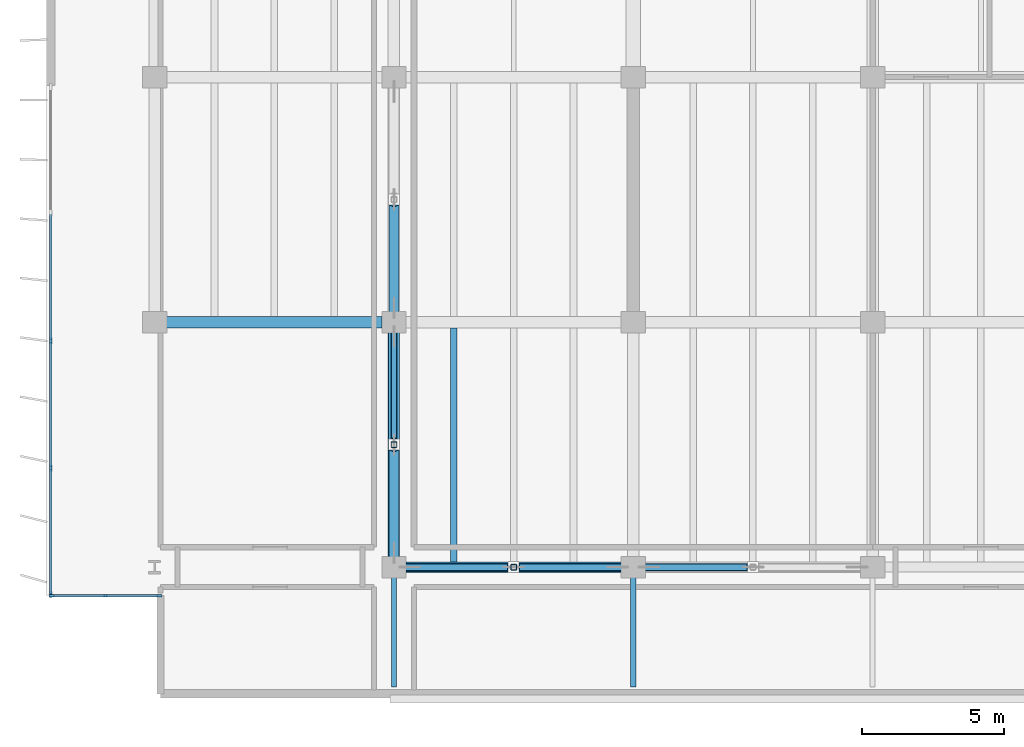
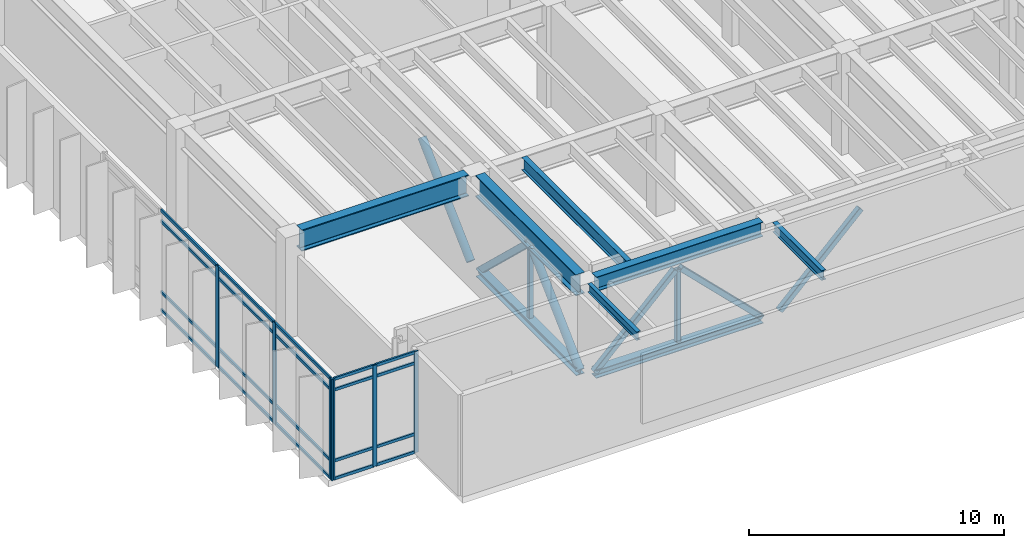
# One storey, part 2 of 23: 34 members, 8 beams, 2 elements without a shape of their own.
"""IFC4 building model written with IfcOpenShell, lengths in metres."""

from ifc_helpers import new_model, si_unit, direction, frame, origin, origin_2d, place, context, subcontext, project, spatial, rectangle, hollow_rectangle, hollow_circle, i_section, extrude, material, layer, layer_set, material_profile, profile_set, type_object, element, aggregate, save


model = new_model("IFC4")

# Units and contexts
model_context = context("Model", 3, precision=1e-05, world=origin(), true_north=direction((0.0, 1.0)))
body_context = subcontext(model_context, "Body", "Model", "MODEL_VIEW")
ifc_project = project(units=[si_unit("LENGTHUNIT", "METRE"), si_unit("AREAUNIT", "SQUARE_METRE"), si_unit("VOLUMEUNIT", "CUBIC_METRE"), si_unit("PLANEANGLEUNIT", "RADIAN"), si_unit("MASSUNIT", "GRAM", prefix="KILO")], contexts=[model_context])

# Site, building, storey
site_placement = place(None, origin())
site = spatial("IfcSite", under=ifc_project, at=site_placement, CompositionType="ELEMENT")
building_placement = place(site_placement, origin())
building = spatial("IfcBuilding", under=site, at=building_placement, Name="Caelmar Bay Residences", CompositionType="ELEMENT")
storey_placement = place(building_placement, frame((0.0, 0.0, 221.39990234375)))
storey = spatial("IfcBuildingStorey", under=building, at=storey_placement, Name="L62", CompositionType="ELEMENT", Elevation=221.39990234375)

# Beams
ifc_material_1 = material(Name="Steel ASTM A992 Grade 50", Category="steel")
ifc_material_profile_1 = material_profile(ifc_material_1, i_section(OverallWidth=0.177978515625, OverallDepth=0.406005859375, WebThickness=0.0078125, FlangeThickness=0.0126953125, FilletRadius=0.0087890625, at=origin_2d()), Name="W16X40")
ifc_profile_set_1 = profile_set([ifc_material_profile_1], Name="Steel ASTM A992 Grade 50")
beam_type_1 = type_object("IfcBeamType", Name="BM-BAL-W16X40", PredefinedType="JOIST", material=ifc_profile_set_1)
beam_1_placement = place(storey_placement, frame((18.300048828125, 11.8349609375, 4.63720703125), z_axis=(0.0, -1.0, 0.0), x_axis=(1.0, 0.0, 0.0)))
element("IfcBeam", 1, at=beam_1_placement, inside=storey, type_object=beam_type_1, Name="L63 South Balcony Cantilever Bracket 1", PredefinedType="JOIST", context=body_context, shape_type="SweptSolid", body=[
    extrude(i_section(OverallWidth=0.177978515625, OverallDepth=0.406005859375, WebThickness=0.0078125, FlangeThickness=0.0126953125, FilletRadius=0.0087890625, at=origin_2d()), origin(), (0.0, 0.0, 1.0), 3.849853515625),
])
ifc_material_profile_2 = material_profile(ifc_material_1, i_section(OverallWidth=0.193115234375, OverallDepth=0.467041015625, WebThickness=0.011474609375, FlangeThickness=0.01904296875, FilletRadius=0.01025390625, at=origin_2d()), Name="W18X65")
ifc_profile_set_2 = profile_set([ifc_material_profile_2], Name="Steel ASTM A992 Grade 50")
beam_type_2 = type_object("IfcBeamType", Name="BM-BAL-W18X65", PredefinedType="BEAM", material=ifc_profile_set_2)
beam_2_placement = place(storey_placement, frame((26.699951171875, 11.8349609375, 4.606689453125), z_axis=(0.0, -1.0, 0.0), x_axis=(1.0, 0.0, 0.0)))
element("IfcBeam", 2, at=beam_2_placement, inside=storey, type_object=beam_type_2, Name="L63 South Balcony Cantilever Bracket 2", PredefinedType="BEAM", context=body_context, shape_type="SweptSolid", body=[
    extrude(i_section(OverallWidth=0.193115234375, OverallDepth=0.467041015625, WebThickness=0.011474609375, FlangeThickness=0.01904296875, FilletRadius=0.01025390625, at=origin_2d()), origin(), (0.0, 0.0, 1.0), 3.849853515625),
])
ifc_material_profile_3 = material_profile(ifc_material_1, i_section(OverallWidth=0.373046875, OverallDepth=0.373046875, WebThickness=0.016357421875, FlangeThickness=0.026123046875, FilletRadius=0.01513671875, at=origin_2d()), Name="W14X132")
ifc_profile_set_3 = profile_set([ifc_material_profile_3], Name="Steel ASTM A992 Grade 50")
beam_type_3 = type_object("IfcBeamType", Name="BM-CHD-W14X132", PredefinedType="BEAM", material=ifc_profile_set_3)
beam_3_placement = place(storey_placement, frame((18.300048828125, 12.56494140625, 0.1865234375), z_axis=(0.0, 1.0, 0.0), x_axis=(-1.0, 0.0, 0.0)))
element("IfcBeam", 3, at=beam_3_placement, inside=storey, type_object=beam_type_3, Name="L62 Outrigger Bottom Chord 1", PredefinedType="BEAM", context=body_context, shape_type="SweptSolid", body=[
    extrude(i_section(OverallWidth=0.373046875, OverallDepth=0.373046875, WebThickness=0.016357421875, FlangeThickness=0.026123046875, FilletRadius=0.01513671875, at=origin_2d()), origin(), (0.0, 0.0, 1.0), 7.8701171875),
])
beam_4_placement = place(storey_placement, frame((18.715087890625, 12.199951171875, 0.1865234375), z_axis=(1.0, 0.0, 0.0), x_axis=(0.0, 1.0, 0.0)))
element("IfcBeam", 4, at=beam_4_placement, inside=storey, type_object=beam_type_3, Name="L62 Belt-Truss Bottom Chord 1", PredefinedType="BEAM", context=body_context, shape_type="SweptSolid", body=[
    extrude(i_section(OverallWidth=0.373046875, OverallDepth=0.373046875, WebThickness=0.016357421875, FlangeThickness=0.026123046875, FilletRadius=0.01513671875, at=origin_2d()), origin(), (0.0, 0.0, 1.0), 7.56982421875),
])
ifc_material_profile_4 = material_profile(ifc_material_1, i_section(OverallWidth=0.404052734375, OverallDepth=1.02099609375, WebThickness=0.025390625, FlangeThickness=0.0458984375, FilletRadius=0.02294921875, at=origin_2d()), Name="W40X324")
ifc_profile_set_4 = profile_set([ifc_material_profile_4], Name="Steel ASTM A992 Grade 50")
beam_type_4 = type_object("IfcBeamType", Name="BM-GRD-W40X324", PredefinedType="BEAM", material=ifc_profile_set_4)
beam_5_placement = place(storey_placement, frame((10.31494140625, 20.800048828125, 4.339599609375), z_axis=(1.0, 0.0, 0.0), x_axis=(0.0, 1.0, 0.0)))
element("IfcBeam", 5, at=beam_5_placement, inside=storey, type_object=beam_type_4, Name="L62 East-West Girder Y=20.80 (9.9-18.3)", PredefinedType="BEAM", context=body_context, shape_type="SweptSolid", body=[
    extrude(i_section(OverallWidth=0.404052734375, OverallDepth=1.02099609375, WebThickness=0.025390625, FlangeThickness=0.0458984375, FilletRadius=0.02294921875, at=origin_2d()), origin(), (0.0, 0.0, 1.0), 7.570068359375),
])
beam_6_placement = place(storey_placement, frame((18.300048828125, 12.56494140625, 4.339599609375), z_axis=(0.0, 1.0, 0.0), x_axis=(-1.0, 0.0, 0.0)))
element("IfcBeam", 6, at=beam_6_placement, inside=storey, type_object=beam_type_4, Name="L62 North-South Girder X=18.30 (12.2-20.8)", PredefinedType="BEAM", context=body_context, shape_type="SweptSolid", body=[
    extrude(i_section(OverallWidth=0.404052734375, OverallDepth=1.02099609375, WebThickness=0.025390625, FlangeThickness=0.0458984375, FilletRadius=0.02294921875, at=origin_2d()), origin(), (0.0, 0.0, 1.0), 7.8701171875),
])
ifc_material_profile_5 = material_profile(ifc_material_1, i_section(OverallWidth=0.22900390625, OverallDepth=0.612060546875, WebThickness=0.011962890625, FlangeThickness=0.01953125, FilletRadius=0.0126953125, at=origin_2d()), Name="W24X84")
ifc_profile_set_5 = profile_set([ifc_material_profile_5], Name="Steel ASTM A992 Grade 50")
beam_type_5 = type_object("IfcBeamType", Name="BM-JST-W24X84", PredefinedType="JOIST", material=ifc_profile_set_5)
beam_7_placement = place(storey_placement, frame((20.39990234375, 12.3779296875, 4.544189453125), z_axis=(0.0, 1.0, 0.0), x_axis=(-1.0, 0.0, 0.0)))
element("IfcBeam", 7, at=beam_7_placement, inside=storey, type_object=beam_type_5, Name="L62 Composite Floor Joist 1", PredefinedType="JOIST", context=body_context, shape_type="SweptSolid", body=[
    extrude(i_section(OverallWidth=0.22900390625, OverallDepth=0.612060546875, WebThickness=0.011962890625, FlangeThickness=0.01953125, FilletRadius=0.0126953125, at=origin_2d()), origin(), (0.0, 0.0, 1.0), 8.219970703125),
])
ifc_material_profile_6 = material_profile(ifc_material_1, i_section(OverallWidth=0.35595703125, OverallDepth=0.696044921875, WebThickness=0.015380859375, FlangeThickness=0.02490234375, FilletRadius=0.01513671875, at=origin_2d()), Name="W27X146")
ifc_profile_set_6 = profile_set([ifc_material_profile_6], Name="Steel ASTM A992 Grade 50")
beam_type_6 = type_object("IfcBeamType", Name="BM-SPN-W27X146", PredefinedType="SPANDREL", material=ifc_profile_set_6)
beam_8_placement = place(storey_placement, frame((18.715087890625, 12.199951171875, 4.502197265625), z_axis=(1.0, 0.0, 0.0), x_axis=(0.0, 1.0, 0.0)))
element("IfcBeam", 8, at=beam_8_placement, inside=storey, type_object=beam_type_6, Name="L62 East-West Girder Y=12.20 (18.3-26.7)", PredefinedType="SPANDREL", context=body_context, shape_type="SweptSolid", body=[
    extrude(i_section(OverallWidth=0.35595703125, OverallDepth=0.696044921875, WebThickness=0.015380859375, FlangeThickness=0.02490234375, FilletRadius=0.01513671875, at=origin_2d()), origin(), (0.0, 0.0, 1.0), 7.56982421875),
])

# Curtain wall, members
ifc_material_2 = material(Name="Anodised bronze aluminium 6063-T6 and laminated glass", Category="aluminium")
ifc_layer_1 = layer(ifc_material_2, 0.179931640625)
ifc_layer_set_1 = layer_set([ifc_layer_1], Name="Anodised bronze aluminium 6063-T6 and laminated glass")
curtain_wall_type_1 = type_object("IfcCurtainWallType", Name="CW6-NTC", PredefinedType="NOTDEFINED", material=ifc_layer_set_1)
curtain_wall_1_placement = place(storey_placement, origin())
curtain_wall_1 = element("IfcCurtainWall", 9, at=curtain_wall_1_placement, inside=storey, type_object=curtain_wall_type_1, Name="CW6 curtain wall L62", PredefinedType="NOTDEFINED")
ifc_material_3 = material(Name="Anodised bronze aluminium 6063-T6", Category="aluminium")
ifc_material_profile_7 = material_profile(ifc_material_3, rectangle(XDim=0.080078125, YDim=0.179931640625, at=origin_2d()), Name="CWM-80X180")
ifc_profile_set_7 = profile_set([ifc_material_profile_7], Name="Anodised bronze aluminium 6063-T6")
member_type_1 = type_object("IfcMemberType", Name="CWM-180", PredefinedType="MULLION", material=ifc_profile_set_7)
member_1_placement = place(storey_placement, frame((6.2900390625, 11.199951171875, 0.0), z_axis=(0.0, 0.0, 1.0), x_axis=(0.0, 1.0, 0.0)))
member_1 = element("IfcMember", 10, at=member_1_placement, type_object=member_type_1, Name="CW6 mullion 1", PredefinedType="MULLION", context=body_context, shape_type="SweptSolid", body=[
    extrude(rectangle(XDim=0.080078125, YDim=0.179931640625, at=origin_2d()), origin(), (0.0, 0.0, 1.0), 4.85009765625),
])
member_2_placement = place(storey_placement, frame((8.175048828125, 11.199951171875, 0.0), z_axis=(0.0, 0.0, 1.0), x_axis=(0.0, 1.0, 0.0)))
member_2 = element("IfcMember", 11, at=member_2_placement, type_object=member_type_1, Name="CW6 mullion 2", PredefinedType="MULLION", context=body_context, shape_type="SweptSolid", body=[
    extrude(rectangle(XDim=0.080078125, YDim=0.179931640625, at=origin_2d()), origin(), (0.0, 0.0, 1.0), 4.85009765625),
])
member_3_placement = place(storey_placement, frame((10.06005859375, 11.199951171875, 0.0), z_axis=(0.0, 0.0, 1.0), x_axis=(0.0, 1.0, 0.0)))
member_3 = element("IfcMember", 12, at=member_3_placement, type_object=member_type_1, Name="CW6 mullion 3", PredefinedType="MULLION", context=body_context, shape_type="SweptSolid", body=[
    extrude(rectangle(XDim=0.080078125, YDim=0.179931640625, at=origin_2d()), origin(), (0.0, 0.0, 1.0), 4.85009765625),
])

ifc_layer_2 = layer(ifc_material_2, 0.179931640625)
ifc_layer_set_2 = layer_set([ifc_layer_2], Name="Anodised bronze aluminium 6063-T6 and laminated glass")
curtain_wall_type_2 = type_object("IfcCurtainWallType", Name="CW4-Z3", PredefinedType="NOTDEFINED", material=ifc_layer_set_2)
curtain_wall_2_placement = place(storey_placement, origin())
curtain_wall_2 = element("IfcCurtainWall", 13, at=curtain_wall_2_placement, inside=storey, type_object=curtain_wall_type_2, Name="CW4 curtain wall L62", PredefinedType="NOTDEFINED")
ifc_material_profile_8 = material_profile(ifc_material_3, rectangle(XDim=0.080078125, YDim=0.219970703125, at=origin_2d()), Name="CWM-80X220")
ifc_profile_set_8 = profile_set([ifc_material_profile_8], Name="Anodised bronze aluminium 6063-T6")
member_type_2 = type_object("IfcMemberType", Name="CWM-220", PredefinedType="MULLION", material=ifc_profile_set_8)
member_4_placement = place(storey_placement, frame((6.25, 11.239990234375, 0.0), z_axis=(0.0, 0.0, 1.0), x_axis=(-1.0, 0.0, 0.0)))
member_4 = element("IfcMember", 14, at=member_4_placement, type_object=member_type_2, Name="CW4 mullion 1", PredefinedType="MULLION", context=body_context, shape_type="SweptSolid", body=[
    extrude(rectangle(XDim=0.080078125, YDim=0.219970703125, at=origin_2d()), origin(), (0.0, 0.0, 1.0), 4.85009765625),
])
member_5_placement = place(storey_placement, frame((6.25, 15.675048828125, 0.0), z_axis=(0.0, 0.0, 1.0), x_axis=(-1.0, 0.0, 0.0)))
member_5 = element("IfcMember", 15, at=member_5_placement, type_object=member_type_2, Name="CW4 mullion 2", PredefinedType="MULLION", context=body_context, shape_type="SweptSolid", body=[
    extrude(rectangle(XDim=0.080078125, YDim=0.219970703125, at=origin_2d()), origin(), (0.0, 0.0, 1.0), 4.85009765625),
])
member_6_placement = place(storey_placement, frame((6.25, 20.14990234375, 0.0), z_axis=(0.0, 0.0, 1.0), x_axis=(-1.0, 0.0, 0.0)))
member_6 = element("IfcMember", 16, at=member_6_placement, type_object=member_type_2, Name="CW4 mullion 3", PredefinedType="MULLION", context=body_context, shape_type="SweptSolid", body=[
    extrude(rectangle(XDim=0.080078125, YDim=0.219970703125, at=origin_2d()), origin(), (0.0, 0.0, 1.0), 4.85009765625),
])

# Member
ifc_material_profile_9 = material_profile(ifc_material_3, rectangle(XDim=0.080078125, YDim=0.139892578125, at=origin_2d()), Name="CWT-80X140")
ifc_profile_set_9 = profile_set([ifc_material_profile_9], Name="Anodised bronze aluminium 6063-T6")
member_type_3 = type_object("IfcMemberType", Name="CWT-140", PredefinedType="NOTDEFINED", material=ifc_profile_set_9)
member_7_placement = place(storey_placement, frame((6.330078125, 11.199951171875, 0.0400390625), z_axis=(1.0, 0.0, 0.0), x_axis=(0.0, 1.0, 0.0)))
member_7 = element("IfcMember", 17, at=member_7_placement, type_object=member_type_3, Name="CW6 transom 1.1", ObjectType="TRANSOM", PredefinedType="USERDEFINED", context=body_context, shape_type="SweptSolid", body=[
    extrude(rectangle(XDim=0.080078125, YDim=0.139892578125, at=origin_2d()), origin(), (0.0, 0.0, 1.0), 1.804931640625),
])

member_8_placement = place(storey_placement, frame((6.330078125, 11.199951171875, 0.900146484375), z_axis=(1.0, 0.0, 0.0), x_axis=(0.0, 1.0, 0.0)))
member_8 = element("IfcMember", 18, at=member_8_placement, type_object=member_type_3, Name="CW6 transom 1.2", ObjectType="TRANSOM", PredefinedType="USERDEFINED", context=body_context, shape_type="SweptSolid", body=[
    extrude(rectangle(XDim=0.080078125, YDim=0.139892578125, at=origin_2d()), origin(), (0.0, 0.0, 1.0), 1.804931640625),
])

member_9_placement = place(storey_placement, frame((6.330078125, 11.199951171875, 4.300048828125), z_axis=(1.0, 0.0, 0.0), x_axis=(0.0, 1.0, 0.0)))
member_9 = element("IfcMember", 19, at=member_9_placement, type_object=member_type_3, Name="CW6 transom 1.3", ObjectType="TRANSOM", PredefinedType="USERDEFINED", context=body_context, shape_type="SweptSolid", body=[
    extrude(rectangle(XDim=0.080078125, YDim=0.139892578125, at=origin_2d()), origin(), (0.0, 0.0, 1.0), 1.804931640625),
])

member_10_placement = place(storey_placement, frame((6.330078125, 11.199951171875, 4.81005859375), z_axis=(1.0, 0.0, 0.0), x_axis=(0.0, 1.0, 0.0)))
member_10 = element("IfcMember", 20, at=member_10_placement, type_object=member_type_3, Name="CW6 transom 1.4", ObjectType="TRANSOM", PredefinedType="USERDEFINED", context=body_context, shape_type="SweptSolid", body=[
    extrude(rectangle(XDim=0.080078125, YDim=0.139892578125, at=origin_2d()), origin(), (0.0, 0.0, 1.0), 1.804931640625),
])

member_11_placement = place(storey_placement, frame((8.215087890625, 11.199951171875, 0.0400390625), z_axis=(1.0, 0.0, 0.0), x_axis=(0.0, 1.0, 0.0)))
member_11 = element("IfcMember", 21, at=member_11_placement, type_object=member_type_3, Name="CW6 transom 2.1", ObjectType="TRANSOM", PredefinedType="USERDEFINED", context=body_context, shape_type="SweptSolid", body=[
    extrude(rectangle(XDim=0.080078125, YDim=0.139892578125, at=origin_2d()), origin(), (0.0, 0.0, 1.0), 1.804931640625),
])

member_12_placement = place(storey_placement, frame((8.215087890625, 11.199951171875, 0.900146484375), z_axis=(1.0, 0.0, 0.0), x_axis=(0.0, 1.0, 0.0)))
member_12 = element("IfcMember", 22, at=member_12_placement, type_object=member_type_3, Name="CW6 transom 2.2", ObjectType="TRANSOM", PredefinedType="USERDEFINED", context=body_context, shape_type="SweptSolid", body=[
    extrude(rectangle(XDim=0.080078125, YDim=0.139892578125, at=origin_2d()), origin(), (0.0, 0.0, 1.0), 1.804931640625),
])

member_13_placement = place(storey_placement, frame((8.215087890625, 11.199951171875, 4.300048828125), z_axis=(1.0, 0.0, 0.0), x_axis=(0.0, 1.0, 0.0)))
member_13 = element("IfcMember", 23, at=member_13_placement, type_object=member_type_3, Name="CW6 transom 2.3", ObjectType="TRANSOM", PredefinedType="USERDEFINED", context=body_context, shape_type="SweptSolid", body=[
    extrude(rectangle(XDim=0.080078125, YDim=0.139892578125, at=origin_2d()), origin(), (0.0, 0.0, 1.0), 1.804931640625),
])

member_14_placement = place(storey_placement, frame((8.215087890625, 11.199951171875, 4.81005859375), z_axis=(1.0, 0.0, 0.0), x_axis=(0.0, 1.0, 0.0)))
member_14 = element("IfcMember", 24, at=member_14_placement, type_object=member_type_3, Name="CW6 transom 2.4", ObjectType="TRANSOM", PredefinedType="USERDEFINED", context=body_context, shape_type="SweptSolid", body=[
    extrude(rectangle(XDim=0.080078125, YDim=0.139892578125, at=origin_2d()), origin(), (0.0, 0.0, 1.0), 1.804931640625),
])

aggregate(curtain_wall_1, [member_1, member_2, member_3, member_7, member_8, member_9, member_10, member_11, member_12, member_13, member_14])

member_15_placement = place(storey_placement, frame((6.25, 11.280029296875, 0.0400390625), z_axis=(0.0, 1.0, 0.0), x_axis=(-1.0, 0.0, 0.0)))
member_15 = element("IfcMember", 25, at=member_15_placement, type_object=member_type_3, Name="CW4 transom 1.1", ObjectType="TRANSOM", PredefinedType="USERDEFINED", context=body_context, shape_type="SweptSolid", body=[
    extrude(rectangle(XDim=0.080078125, YDim=0.139892578125, at=origin_2d()), origin(), (0.0, 0.0, 1.0), 4.35498046875),
])

member_16_placement = place(storey_placement, frame((6.25, 11.280029296875, 0.900146484375), z_axis=(0.0, 1.0, 0.0), x_axis=(-1.0, 0.0, 0.0)))
member_16 = element("IfcMember", 26, at=member_16_placement, type_object=member_type_3, Name="CW4 transom 1.2", ObjectType="TRANSOM", PredefinedType="USERDEFINED", context=body_context, shape_type="SweptSolid", body=[
    extrude(rectangle(XDim=0.080078125, YDim=0.139892578125, at=origin_2d()), origin(), (0.0, 0.0, 1.0), 4.35498046875),
])

member_17_placement = place(storey_placement, frame((6.25, 11.280029296875, 4.300048828125), z_axis=(0.0, 1.0, 0.0), x_axis=(-1.0, 0.0, 0.0)))
member_17 = element("IfcMember", 27, at=member_17_placement, type_object=member_type_3, Name="CW4 transom 1.3", ObjectType="TRANSOM", PredefinedType="USERDEFINED", context=body_context, shape_type="SweptSolid", body=[
    extrude(rectangle(XDim=0.080078125, YDim=0.139892578125, at=origin_2d()), origin(), (0.0, 0.0, 1.0), 4.35498046875),
])

member_18_placement = place(storey_placement, frame((6.25, 11.280029296875, 4.81005859375), z_axis=(0.0, 1.0, 0.0), x_axis=(-1.0, 0.0, 0.0)))
member_18 = element("IfcMember", 28, at=member_18_placement, type_object=member_type_3, Name="CW4 transom 1.4", ObjectType="TRANSOM", PredefinedType="USERDEFINED", context=body_context, shape_type="SweptSolid", body=[
    extrude(rectangle(XDim=0.080078125, YDim=0.139892578125, at=origin_2d()), origin(), (0.0, 0.0, 1.0), 4.35498046875),
])

member_19_placement = place(storey_placement, frame((6.25, 15.715087890625, 0.0400390625), z_axis=(0.0, 1.0, 0.0), x_axis=(-1.0, 0.0, 0.0)))
member_19 = element("IfcMember", 29, at=member_19_placement, type_object=member_type_3, Name="CW4 transom 2.1", ObjectType="TRANSOM", PredefinedType="USERDEFINED", context=body_context, shape_type="SweptSolid", body=[
    extrude(rectangle(XDim=0.080078125, YDim=0.139892578125, at=origin_2d()), origin(), (0.0, 0.0, 1.0), 4.39501953125),
])

member_20_placement = place(storey_placement, frame((6.25, 15.715087890625, 0.900146484375), z_axis=(0.0, 1.0, 0.0), x_axis=(-1.0, 0.0, 0.0)))
member_20 = element("IfcMember", 30, at=member_20_placement, type_object=member_type_3, Name="CW4 transom 2.2", ObjectType="TRANSOM", PredefinedType="USERDEFINED", context=body_context, shape_type="SweptSolid", body=[
    extrude(rectangle(XDim=0.080078125, YDim=0.139892578125, at=origin_2d()), origin(), (0.0, 0.0, 1.0), 4.39501953125),
])

member_21_placement = place(storey_placement, frame((6.25, 15.715087890625, 4.300048828125), z_axis=(0.0, 1.0, 0.0), x_axis=(-1.0, 0.0, 0.0)))
member_21 = element("IfcMember", 31, at=member_21_placement, type_object=member_type_3, Name="CW4 transom 2.3", ObjectType="TRANSOM", PredefinedType="USERDEFINED", context=body_context, shape_type="SweptSolid", body=[
    extrude(rectangle(XDim=0.080078125, YDim=0.139892578125, at=origin_2d()), origin(), (0.0, 0.0, 1.0), 4.39501953125),
])

member_22_placement = place(storey_placement, frame((6.25, 15.715087890625, 4.81005859375), z_axis=(0.0, 1.0, 0.0), x_axis=(-1.0, 0.0, 0.0)))
member_22 = element("IfcMember", 32, at=member_22_placement, type_object=member_type_3, Name="CW4 transom 2.4", ObjectType="TRANSOM", PredefinedType="USERDEFINED", context=body_context, shape_type="SweptSolid", body=[
    extrude(rectangle(XDim=0.080078125, YDim=0.139892578125, at=origin_2d()), origin(), (0.0, 0.0, 1.0), 4.39501953125),
])

member_23_placement = place(storey_placement, frame((6.25, 20.18994140625, 0.0400390625), z_axis=(0.0, 1.0, 0.0), x_axis=(-1.0, 0.0, 0.0)))
member_23 = element("IfcMember", 33, at=member_23_placement, type_object=member_type_3, Name="CW4 transom 3.1", ObjectType="TRANSOM", PredefinedType="USERDEFINED", context=body_context, shape_type="SweptSolid", body=[
    extrude(rectangle(XDim=0.080078125, YDim=0.139892578125, at=origin_2d()), origin(), (0.0, 0.0, 1.0), 4.39501953125),
])

member_24_placement = place(storey_placement, frame((6.25, 20.18994140625, 0.900146484375), z_axis=(0.0, 1.0, 0.0), x_axis=(-1.0, 0.0, 0.0)))
member_24 = element("IfcMember", 34, at=member_24_placement, type_object=member_type_3, Name="CW4 transom 3.2", ObjectType="TRANSOM", PredefinedType="USERDEFINED", context=body_context, shape_type="SweptSolid", body=[
    extrude(rectangle(XDim=0.080078125, YDim=0.139892578125, at=origin_2d()), origin(), (0.0, 0.0, 1.0), 4.39501953125),
])

member_25_placement = place(storey_placement, frame((6.25, 20.18994140625, 4.300048828125), z_axis=(0.0, 1.0, 0.0), x_axis=(-1.0, 0.0, 0.0)))
member_25 = element("IfcMember", 35, at=member_25_placement, type_object=member_type_3, Name="CW4 transom 3.3", ObjectType="TRANSOM", PredefinedType="USERDEFINED", context=body_context, shape_type="SweptSolid", body=[
    extrude(rectangle(XDim=0.080078125, YDim=0.139892578125, at=origin_2d()), origin(), (0.0, 0.0, 1.0), 4.39501953125),
])

member_26_placement = place(storey_placement, frame((6.25, 20.18994140625, 4.81005859375), z_axis=(0.0, 1.0, 0.0), x_axis=(-1.0, 0.0, 0.0)))
member_26 = element("IfcMember", 36, at=member_26_placement, type_object=member_type_3, Name="CW4 transom 3.4", ObjectType="TRANSOM", PredefinedType="USERDEFINED", context=body_context, shape_type="SweptSolid", body=[
    extrude(rectangle(XDim=0.080078125, YDim=0.139892578125, at=origin_2d()), origin(), (0.0, 0.0, 1.0), 4.39501953125),
])

aggregate(curtain_wall_2, [member_4, member_5, member_6, member_15, member_16, member_17, member_18, member_19, member_20, member_21, member_22, member_23, member_24, member_25, member_26])

# Members
ifc_material_4 = material(Name="Steel ASTM A500 Grade C", Category="steel")
ifc_material_profile_10 = material_profile(ifc_material_4, hollow_rectangle(XDim=0.25390625, YDim=0.25390625, WallThickness=0.014892578125, InnerFilletRadius=0.014892578125, OuterFilletRadius=0.029541015625, at=origin_2d()), Name="HSS250X250X15.9")
ifc_profile_set_10 = profile_set([ifc_material_profile_10], Name="Steel ASTM A500 Grade C")
member_type_4 = type_object("IfcMemberType", Name="MEM-BRC-HSS250", PredefinedType="BRACE", material=ifc_profile_set_10)
for number, where, z_axis, x_axis, name in (
    (37, (18.715087890625, 12.199951171875, 0.22021484375), (0.71107468554, 0.0, 0.703116485075), (0.0, 1.0, 0.0), "L62 Belt-Truss Chevron 1A"),
    (38, (26.284912109375, 12.199951171875, 0.22021484375), (-0.71107468554, 0.0, 0.703116485075), (0.0, -1.0, 0.0), "L62 Belt-Truss Chevron 1B"),
):
    element("IfcMember", number, at=place(storey_placement, frame(where, z_axis=z_axis, x_axis=x_axis)), inside=storey, type_object=member_type_4, Name=name, PredefinedType="BRACE", context=body_context, shape_type="SweptSolid", body=[
        extrude(hollow_rectangle(XDim=0.25390625, YDim=0.25390625, WallThickness=0.014892578125, InnerFilletRadius=0.014892578125, OuterFilletRadius=0.029541015625, at=origin_2d()), origin(), (0.0, 0.0, 1.0), 5.15380859375),
    ])
member_27_placement = place(storey_placement, frame((27.114990234375, 12.199951171875, 0.22021484375), z_axis=(0.711098102915, 0.0, 0.703092801863), x_axis=(0.0, 1.0, 0.0)))
element("IfcMember", 39, at=member_27_placement, inside=storey, type_object=member_type_4, Name="L62 Belt-Truss Chevron 2A", PredefinedType="BRACE", context=body_context, shape_type="SweptSolid", body=[
    extrude(hollow_rectangle(XDim=0.25390625, YDim=0.25390625, WallThickness=0.014892578125, InnerFilletRadius=0.014892578125, OuterFilletRadius=0.029541015625, at=origin_2d()), origin(), (0.0, 0.0, 1.0), 5.154052734375),
])
ifc_material_profile_11 = material_profile(ifc_material_4, hollow_rectangle(XDim=0.202880859375, YDim=0.304931640625, WallThickness=0.014892578125, InnerFilletRadius=0.014892578125, OuterFilletRadius=0.029541015625, at=origin_2d()), Name="HSS300X200X15.9")
ifc_profile_set_11 = profile_set([ifc_material_profile_11], Name="Steel ASTM A500 Grade C")
member_type_5 = type_object("IfcMemberType", Name="MEM-CHD-HSS300X200", PredefinedType="CHORD", material=ifc_profile_set_11)
member_28_placement = place(storey_placement, frame((18.300048828125, 20.43505859375, 0.22021484375), z_axis=(0.0, -0.725038820171, 0.688707999987), x_axis=(1.0, 0.0, 0.0)))
element("IfcMember", 40, at=member_28_placement, inside=storey, type_object=member_type_5, Name="L62 Outrigger Secondary Diagonal 1B", PredefinedType="CHORD", context=body_context, shape_type="SweptSolid", body=[
    extrude(hollow_rectangle(XDim=0.202880859375, YDim=0.304931640625, WallThickness=0.014892578125, InnerFilletRadius=0.014892578125, OuterFilletRadius=0.029541015625, at=origin_2d()), origin(), (0.0, 0.0, 1.0), 5.26171875),
])
ifc_material_profile_12 = material_profile(ifc_material_4, hollow_circle(Radius=0.177978515625, WallThickness=0.017578125, at=origin_2d()), Name="CHS356X19.1")
ifc_profile_set_12 = profile_set([ifc_material_profile_12], Name="Steel ASTM A500 Grade C")
member_type_6 = type_object("IfcMemberType", Name="MEM-OUT-CHS356", PredefinedType="BRACE", material=ifc_profile_set_12)
for number, where, z_axis, x_axis, name in (
    (41, (18.300048828125, 12.56494140625, 0.22021484375), (0.0, 0.725038820171, 0.688707999987), (-1.0, 0.0, 0.0), "L62 Outrigger Diagonal 1A"),
    (42, (18.300048828125, 21.1650390625, 0.22021484375), (0.0, 0.725038820171, 0.688707999987), (-1.0, 0.0, 0.0), "L62 Outrigger Diagonal 2A"),
):
    element("IfcMember", number, at=place(storey_placement, frame(where, z_axis=z_axis, x_axis=x_axis)), inside=storey, type_object=member_type_6, Name=name, PredefinedType="BRACE", context=body_context, shape_type="SweptSolid", body=[
        extrude(hollow_circle(Radius=0.177978515625, WallThickness=0.017578125, at=origin_2d()), origin(), (0.0, 0.0, 1.0), 5.26171875),
    ])
ifc_material_profile_13 = material_profile(ifc_material_4, hollow_rectangle(XDim=0.202880859375, YDim=0.202880859375, WallThickness=0.01171875, InnerFilletRadius=0.01171875, OuterFilletRadius=0.023681640625, at=origin_2d()), Name="HSS200X200X12.7")
ifc_profile_set_13 = profile_set([ifc_material_profile_13], Name="Steel ASTM A500 Grade C")
member_type_7 = type_object("IfcMemberType", Name="MEM-PST-HSS200", PredefinedType="POST", material=ifc_profile_set_13)
for number, where, z_axis, x_axis, name in (
    (43, (18.300048828125, 16.5, 0.373046875), (0.0, 0.0, 1.0), (1.0, 0.0, 0.0), "L62 Outrigger Web Post 1"),
    (44, (22.5, 12.199951171875, 0.373046875), (0.0, 0.0, 1.0), (1.0, 0.0, 0.0), "L62 Belt-Truss Vertical Post 1"),
):
    element("IfcMember", number, at=place(storey_placement, frame(where, z_axis=z_axis, x_axis=x_axis)), inside=storey, type_object=member_type_7, Name=name, PredefinedType="POST", context=body_context, shape_type="SweptSolid", body=[
        extrude(hollow_rectangle(XDim=0.202880859375, YDim=0.202880859375, WallThickness=0.01171875, InnerFilletRadius=0.01171875, OuterFilletRadius=0.023681640625, at=origin_2d()), origin(), (0.0, 0.0, 1.0), 3.470947265625),
    ])

save(model, "model.ifc")
